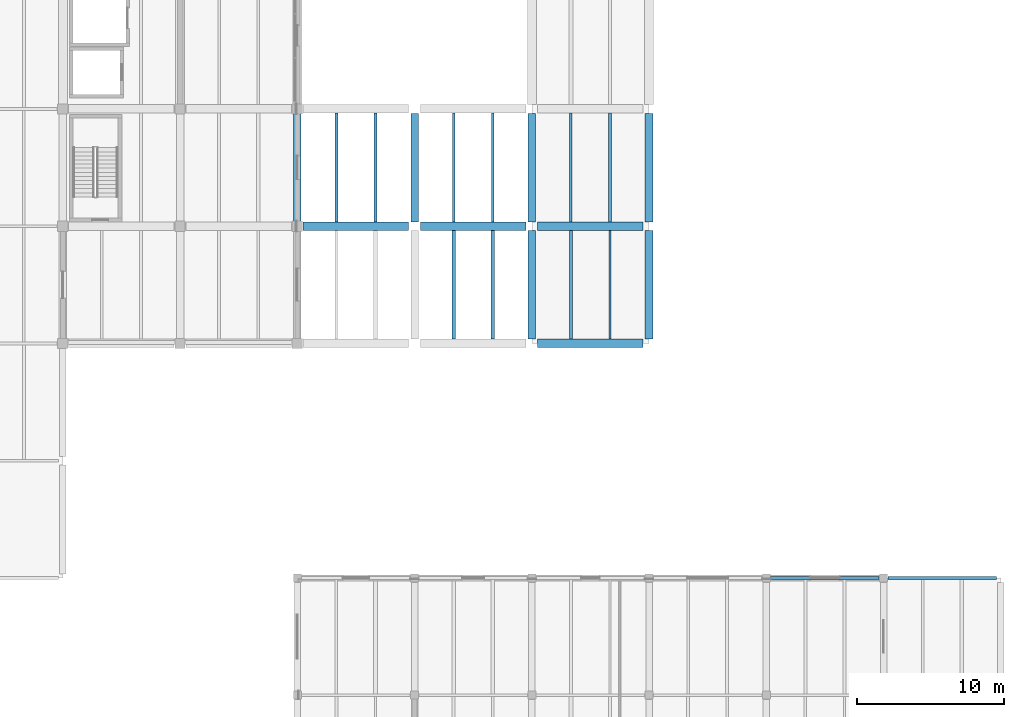
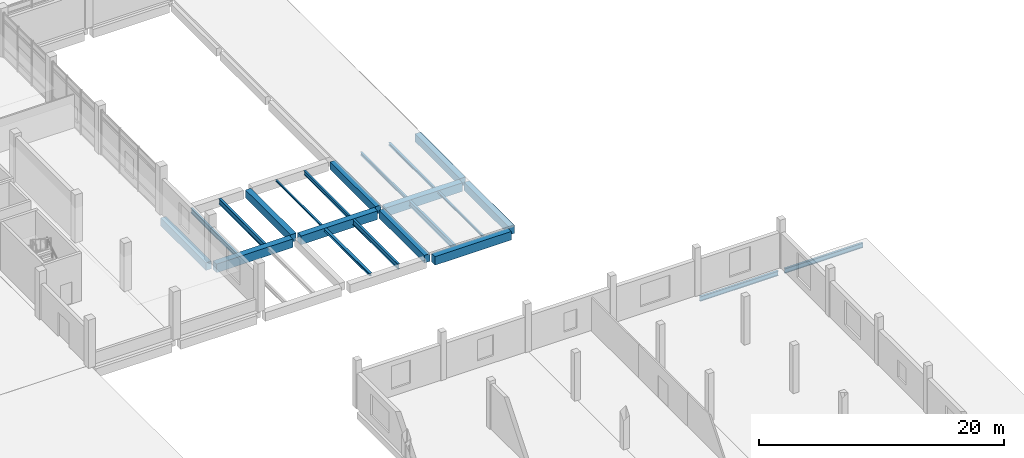
# One storey, part 19 of 52: 22 beams.
"""IFC4 building model written with IfcOpenShell, lengths in metres."""

from ifc_helpers import new_model, si_unit, direction, frame, origin, origin_2d, place, context, subcontext, project, spatial, rectangle, i_section, extrude, material, material_profile, profile_set, type_object, element, save


model = new_model("IFC4")

# Units and contexts
model_context = context("Model", 3, precision=1e-05, world=origin(), true_north=direction((0.0, 1.0)))
body_context = subcontext(model_context, "Body", "Model", "MODEL_VIEW")
ifc_project = project(units=[si_unit("LENGTHUNIT", "METRE"), si_unit("AREAUNIT", "SQUARE_METRE"), si_unit("VOLUMEUNIT", "CUBIC_METRE"), si_unit("PLANEANGLEUNIT", "RADIAN"), si_unit("MASSUNIT", "GRAM", prefix="KILO")], contexts=[model_context])

# Site, building, storey
site_placement = place(None, origin())
site = spatial("IfcSite", under=ifc_project, at=site_placement, CompositionType="ELEMENT")
building_placement = place(site_placement, origin())
building = spatial("IfcBuilding", under=site, at=building_placement, Name="Pecanmere Concourse Central Library", CompositionType="ELEMENT")
storey_placement = place(building_placement, frame((0.0, 0.0, 10.5)))
storey = spatial("IfcBuildingStorey", under=building, at=storey_placement, Name="L03", CompositionType="ELEMENT", Elevation=10.5)

# Beams
ifc_material_1 = material(Name="Concrete C40/50", Category="concrete")
ifc_material_profile_1 = material_profile(ifc_material_1, rectangle(XDim=0.52001953125, YDim=0.77001953125, at=origin_2d()), Name="RC 520x770")
ifc_profile_set_1 = profile_set([ifc_material_profile_1], Name="Concrete C40/50")
beam_type_1 = type_object("IfcBeamType", Name="GRD_520x770", PredefinedType="USERDEFINED", material=ifc_profile_set_1)
for number, where, z_axis, x_axis, name in (
    (1, (128.0, 56.300048828125, -0.72509765625), (0.0, 1.0, 0.0), (-1.0, 0.0, 0.0), "Primary Girder Y L03-1787"),
    (2, (136.0, 56.300048828125, -0.72509765625), (0.0, 1.0, 0.0), (-1.0, 0.0, 0.0), "Primary Girder Y L03-1798"),
    (3, (144.0, 48.300048828125, -0.72509765625), (0.0, 1.0, 0.0), (-1.0, 0.0, 0.0), "Primary Girder Y L03-1805"),
    (4, (144.0, 56.300048828125, -0.72509765625), (0.0, 1.0, 0.0), (-1.0, 0.0, 0.0), "Primary Girder Y L03-1806"),
    (5, (152.0, 48.300048828125, -0.72509765625), (0.0, 1.0, 0.0), (-1.0, 0.0, 0.0), "Primary Girder Y L03-1816"),
    (6, (152.0, 56.300048828125, -0.72509765625), (0.0, 1.0, 0.0), (-1.0, 0.0, 0.0), "Primary Girder Y L03-1817"),
):
    element("IfcBeam", number, at=place(storey_placement, frame(where, z_axis=z_axis, x_axis=x_axis)), inside=storey, type_object=beam_type_1, Name=name, ObjectType="GIRDER", PredefinedType="USERDEFINED", context=body_context, shape_type="SweptSolid", body=[
        extrude(rectangle(XDim=0.52001953125, YDim=0.77001953125, at=origin_2d()), origin(), (0.0, 0.0, 1.0), 7.39990234375),
    ])
ifc_material_2 = material(Name="Concrete C40/50", Category="concrete")
ifc_material_profile_2 = material_profile(ifc_material_2, rectangle(XDim=0.580078125, YDim=0.860107421875, at=origin_2d()), Name="RC 580x860")
ifc_profile_set_2 = profile_set([ifc_material_profile_2], Name="Concrete C40/50")
beam_type_2 = type_object("IfcBeamType", Name="GRD_580x860", PredefinedType="USERDEFINED", material=ifc_profile_set_2)
for number, where, z_axis, x_axis, name in (
    (7, (144.39990234375, 48.0, -0.77001953125), (1.0, 0.0, 0.0), (0.0, 1.0, 0.0), "Primary Girder X L03-1555"),
    (8, (128.39990234375, 56.0, -0.77001953125), (1.0, 0.0, 0.0), (0.0, 1.0, 0.0), "Primary Girder X L03-1569"),
    (9, (136.39990234375, 56.0, -0.77001953125), (1.0, 0.0, 0.0), (0.0, 1.0, 0.0), "Primary Girder X L03-1570"),
    (10, (144.39990234375, 56.0, -0.77001953125), (1.0, 0.0, 0.0), (0.0, 1.0, 0.0), "Primary Girder X L03-1571"),
):
    element("IfcBeam", number, at=place(storey_placement, frame(where, z_axis=z_axis, x_axis=x_axis)), inside=storey, type_object=beam_type_2, Name=name, ObjectType="GIRDER", PredefinedType="USERDEFINED", context=body_context, shape_type="SweptSolid", body=[
        extrude(rectangle(XDim=0.580078125, YDim=0.860107421875, at=origin_2d()), origin(), (0.0, 0.0, 1.0), 7.2001953125),
    ])
ifc_material_3 = material(Name="Structural steel ASTM A992 Grade 50", Category="steel")
ifc_material_profile_3 = material_profile(ifc_material_3, i_section(OverallWidth=0.152099609375, OverallDepth=0.152099609375, WebThickness=0.005859375, FlangeThickness=0.006591796875, at=origin_2d()), Name="W150x22.5")
ifc_profile_set_3 = profile_set([ifc_material_profile_3], Name="Structural steel ASTM A992 Grade 50")
beam_type_3 = type_object("IfcBeamType", Name="SBM_W150x22", PredefinedType="LINTEL", material=ifc_profile_set_3)
beam_1_placement = place(storey_placement, frame((138.666748046875, 56.2900390625, -0.416015625), z_axis=(0.0, 1.0, 0.0), x_axis=(-1.0, 0.0, 0.0)))
element("IfcBeam", 11, at=beam_1_placement, inside=storey, type_object=beam_type_3, Name="Secondary Floor Joist L03-2055", PredefinedType="LINTEL", context=body_context, shape_type="SweptSolid", body=[
    extrude(i_section(OverallWidth=0.152099609375, OverallDepth=0.152099609375, WebThickness=0.005859375, FlangeThickness=0.006591796875, at=origin_2d()), origin(), (0.0, 0.0, 1.0), 7.419921875),
])
ifc_material_4 = material(Name="Structural steel ASTM A992 Grade 50", Category="steel")
ifc_material_profile_4 = material_profile(ifc_material_4, i_section(OverallWidth=0.1650390625, OverallDepth=0.200927734375, WebThickness=0.006103515625, FlangeThickness=0.01025390625, at=origin_2d()), Name="W200x35.9")
ifc_profile_set_4 = profile_set([ifc_material_profile_4], Name="Structural steel ASTM A992 Grade 50")
beam_type_4 = type_object("IfcBeamType", Name="SBM_W200x36", PredefinedType="LINTEL", material=ifc_profile_set_4)
beam_2_placement = place(storey_placement, frame((149.333251953125, 48.2900390625, -0.4404296875), z_axis=(0.0, 1.0, 0.0), x_axis=(-1.0, 0.0, 0.0)))
element("IfcBeam", 12, at=beam_2_placement, inside=storey, type_object=beam_type_4, Name="Secondary Floor Joist L03-2070", PredefinedType="LINTEL", context=body_context, shape_type="SweptSolid", body=[
    extrude(i_section(OverallWidth=0.1650390625, OverallDepth=0.200927734375, WebThickness=0.006103515625, FlangeThickness=0.01025390625, at=origin_2d()), origin(), (0.0, 0.0, 1.0), 7.419921875),
])
ifc_material_5 = material(Name="Structural steel ASTM A992 Grade 50", Category="steel")
ifc_material_profile_5 = material_profile(ifc_material_5, i_section(OverallWidth=0.201904296875, OverallDepth=0.2470703125, WebThickness=0.00732421875, FlangeThickness=0.010986328125, at=origin_2d()), Name="W250x49.1")
ifc_profile_set_5 = profile_set([ifc_material_profile_5], Name="Structural steel ASTM A992 Grade 50")
beam_type_5 = type_object("IfcBeamType", Name="SBM_W250x49", PredefinedType="JOIST", material=ifc_profile_set_5)
beam_3_placement = place(storey_placement, frame((149.333251953125, 56.2900390625, -0.46337890625), z_axis=(0.0, 1.0, 0.0), x_axis=(-1.0, 0.0, 0.0)))
element("IfcBeam", 13, at=beam_3_placement, inside=storey, type_object=beam_type_5, Name="Secondary Floor Joist L03-2072", PredefinedType="JOIST", context=body_context, shape_type="SweptSolid", body=[
    extrude(i_section(OverallWidth=0.201904296875, OverallDepth=0.2470703125, WebThickness=0.00732421875, FlangeThickness=0.010986328125, at=origin_2d()), origin(), (0.0, 0.0, 1.0), 7.419921875),
])
ifc_material_6 = material(Name="Structural steel ASTM A992 Grade 50", Category="steel")
ifc_material_profile_6 = material_profile(ifc_material_6, i_section(OverallWidth=0.25390625, OverallDepth=0.2529296875, WebThickness=0.008544921875, FlangeThickness=0.01416015625, at=origin_2d()), Name="W250x73")
ifc_profile_set_6 = profile_set([ifc_material_profile_6], Name="Structural steel ASTM A992 Grade 50")
beam_type_6 = type_object("IfcBeamType", Name="SBM_W250x73", PredefinedType="BEAM", material=ifc_profile_set_6)
beam_4_placement = place(storey_placement, frame((138.666748046875, 48.2900390625, -0.466552734375), z_axis=(0.0, 1.0, 0.0), x_axis=(-1.0, 0.0, 0.0)))
element("IfcBeam", 14, at=beam_4_placement, inside=storey, type_object=beam_type_6, Name="Secondary Floor Joist L03-2053", PredefinedType="BEAM", context=body_context, shape_type="SweptSolid", body=[
    extrude(i_section(OverallWidth=0.25390625, OverallDepth=0.2529296875, WebThickness=0.008544921875, FlangeThickness=0.01416015625, at=origin_2d()), origin(), (0.0, 0.0, 1.0), 7.419921875),
])
ifc_material_7 = material(Name="Structural steel ASTM A992 Grade 50", Category="steel")
ifc_material_profile_7 = material_profile(ifc_material_7, i_section(OverallWidth=0.1669921875, OverallDepth=0.31689453125, WebThickness=0.007568359375, FlangeThickness=0.01318359375, at=origin_2d()), Name="W310x52")
ifc_profile_set_7 = profile_set([ifc_material_profile_7], Name="Structural steel ASTM A992 Grade 50")
beam_type_7 = type_object("IfcBeamType", Name="SBM_W310x52", PredefinedType="JOIST", material=ifc_profile_set_7)
beam_5_placement = place(storey_placement, frame((146.666748046875, 56.2900390625, -0.49853515625), z_axis=(0.0, 1.0, 0.0), x_axis=(-1.0, 0.0, 0.0)))
element("IfcBeam", 15, at=beam_5_placement, inside=storey, type_object=beam_type_7, Name="Secondary Floor Joist L03-2071", PredefinedType="JOIST", context=body_context, shape_type="SweptSolid", body=[
    extrude(i_section(OverallWidth=0.1669921875, OverallDepth=0.31689453125, WebThickness=0.007568359375, FlangeThickness=0.01318359375, at=origin_2d()), origin(), (0.0, 0.0, 1.0), 7.419921875),
])
ifc_material_8 = material(Name="Structural steel ASTM A992 Grade 50", Category="steel")
ifc_material_profile_8 = material_profile(ifc_material_8, i_section(OverallWidth=0.177978515625, OverallDepth=0.406982421875, WebThickness=0.0078125, FlangeThickness=0.0126953125, at=origin_2d()), Name="W410x60")
ifc_profile_set_8 = profile_set([ifc_material_profile_8], Name="Structural steel ASTM A992 Grade 50")
beam_type_8 = type_object("IfcBeamType", Name="SBM_W410x60", PredefinedType="JOIST", material=ifc_profile_set_8)
beam_6_placement = place(storey_placement, frame((141.333251953125, 56.2900390625, -0.54345703125), z_axis=(0.0, 1.0, 0.0), x_axis=(-1.0, 0.0, 0.0)))
element("IfcBeam", 16, at=beam_6_placement, inside=storey, type_object=beam_type_8, Name="Secondary Floor Joist L03-2056", PredefinedType="JOIST", context=body_context, shape_type="SweptSolid", body=[
    extrude(i_section(OverallWidth=0.177978515625, OverallDepth=0.406982421875, WebThickness=0.0078125, FlangeThickness=0.0126953125, at=origin_2d()), origin(), (0.0, 0.0, 1.0), 7.419921875),
])
ifc_material_9 = material(Name="Structural steel ASTM A992 Grade 50", Category="steel")
ifc_material_profile_9 = material_profile(ifc_material_9, i_section(OverallWidth=0.194091796875, OverallDepth=0.468994140625, WebThickness=0.0126953125, FlangeThickness=0.0205078125, at=origin_2d()), Name="W460x106")
ifc_profile_set_9 = profile_set([ifc_material_profile_9], Name="Structural steel ASTM A992 Grade 50")
beam_type_9 = type_object("IfcBeamType", Name="SBM_W460x106", PredefinedType="USERDEFINED", material=ifc_profile_set_9)
for number, where, z_axis, x_axis, name in (
    (17, (160.300048828125, 32.0, -0.574462890625), (1.0, 0.0, 0.0), (0.0, 1.0, 0.0), "Primary Girder X L03-1533"),
    (18, (168.300048828125, 32.0, -0.574462890625), (1.0, 0.0, 0.0), (0.0, 1.0, 0.0), "Primary Girder X L03-1534"),
):
    element("IfcBeam", number, at=place(storey_placement, frame(where, z_axis=z_axis, x_axis=x_axis)), inside=storey, type_object=beam_type_9, Name=name, ObjectType="GIRDER", PredefinedType="USERDEFINED", context=body_context, shape_type="SweptSolid", body=[
        extrude(i_section(OverallWidth=0.194091796875, OverallDepth=0.468994140625, WebThickness=0.0126953125, FlangeThickness=0.0205078125, at=origin_2d()), origin(), (0.0, 0.0, 1.0), 7.39990234375),
    ])
beam_7_placement = place(storey_placement, frame((130.666748046875, 56.2900390625, -0.574462890625), z_axis=(0.0, 1.0, 0.0), x_axis=(-1.0, 0.0, 0.0)))
element("IfcBeam", 19, at=beam_7_placement, inside=storey, type_object=beam_type_9, Name="Secondary Floor Joist L03-2039", ObjectType="GIRDER", PredefinedType="USERDEFINED", context=body_context, shape_type="SweptSolid", body=[
    extrude(i_section(OverallWidth=0.194091796875, OverallDepth=0.468994140625, WebThickness=0.0126953125, FlangeThickness=0.0205078125, at=origin_2d()), origin(), (0.0, 0.0, 1.0), 7.419921875),
])
ifc_material_10 = material(Name="Structural steel ASTM A992 Grade 50", Category="steel")
ifc_material_profile_10 = material_profile(ifc_material_10, i_section(OverallWidth=0.2109375, OverallDepth=0.5390625, WebThickness=0.01171875, FlangeThickness=0.018798828125, at=origin_2d()), Name="W530x109")
ifc_profile_set_10 = profile_set([ifc_material_profile_10], Name="Structural steel ASTM A992 Grade 50")
beam_type_10 = type_object("IfcBeamType", Name="SBM_W530x109", PredefinedType="USERDEFINED", material=ifc_profile_set_10)
for number, where, z_axis, x_axis, name in (
    (20, (133.333251953125, 56.2900390625, -0.609619140625), (0.0, 1.0, 0.0), (-1.0, 0.0, 0.0), "Secondary Floor Joist L03-2040"),
    (21, (146.666748046875, 48.2900390625, -0.609619140625), (0.0, 1.0, 0.0), (-1.0, 0.0, 0.0), "Secondary Floor Joist L03-2069"),
):
    element("IfcBeam", number, at=place(storey_placement, frame(where, z_axis=z_axis, x_axis=x_axis)), inside=storey, type_object=beam_type_10, Name=name, ObjectType="GIRDER", PredefinedType="USERDEFINED", context=body_context, shape_type="SweptSolid", body=[
        extrude(i_section(OverallWidth=0.2109375, OverallDepth=0.5390625, WebThickness=0.01171875, FlangeThickness=0.018798828125, at=origin_2d()), origin(), (0.0, 0.0, 1.0), 7.419921875),
    ])
ifc_material_11 = material(Name="Structural steel ASTM A992 Grade 50", Category="steel")
ifc_material_profile_11 = material_profile(ifc_material_11, i_section(OverallWidth=0.208984375, OverallDepth=0.532958984375, WebThickness=0.01025390625, FlangeThickness=0.015625, at=origin_2d()), Name="W530x92")
ifc_profile_set_11 = profile_set([ifc_material_profile_11], Name="Structural steel ASTM A992 Grade 50")
beam_type_11 = type_object("IfcBeamType", Name="SBM_W530x92", PredefinedType="BEAM", material=ifc_profile_set_11)
beam_8_placement = place(storey_placement, frame((141.333251953125, 48.2900390625, -0.6064453125), z_axis=(0.0, 1.0, 0.0), x_axis=(-1.0, 0.0, 0.0)))
element("IfcBeam", 22, at=beam_8_placement, inside=storey, type_object=beam_type_11, Name="Secondary Floor Joist L03-2054", PredefinedType="BEAM", context=body_context, shape_type="SweptSolid", body=[
    extrude(i_section(OverallWidth=0.208984375, OverallDepth=0.532958984375, WebThickness=0.01025390625, FlangeThickness=0.015625, at=origin_2d()), origin(), (0.0, 0.0, 1.0), 7.419921875),
])

save(model, "model.ifc")
